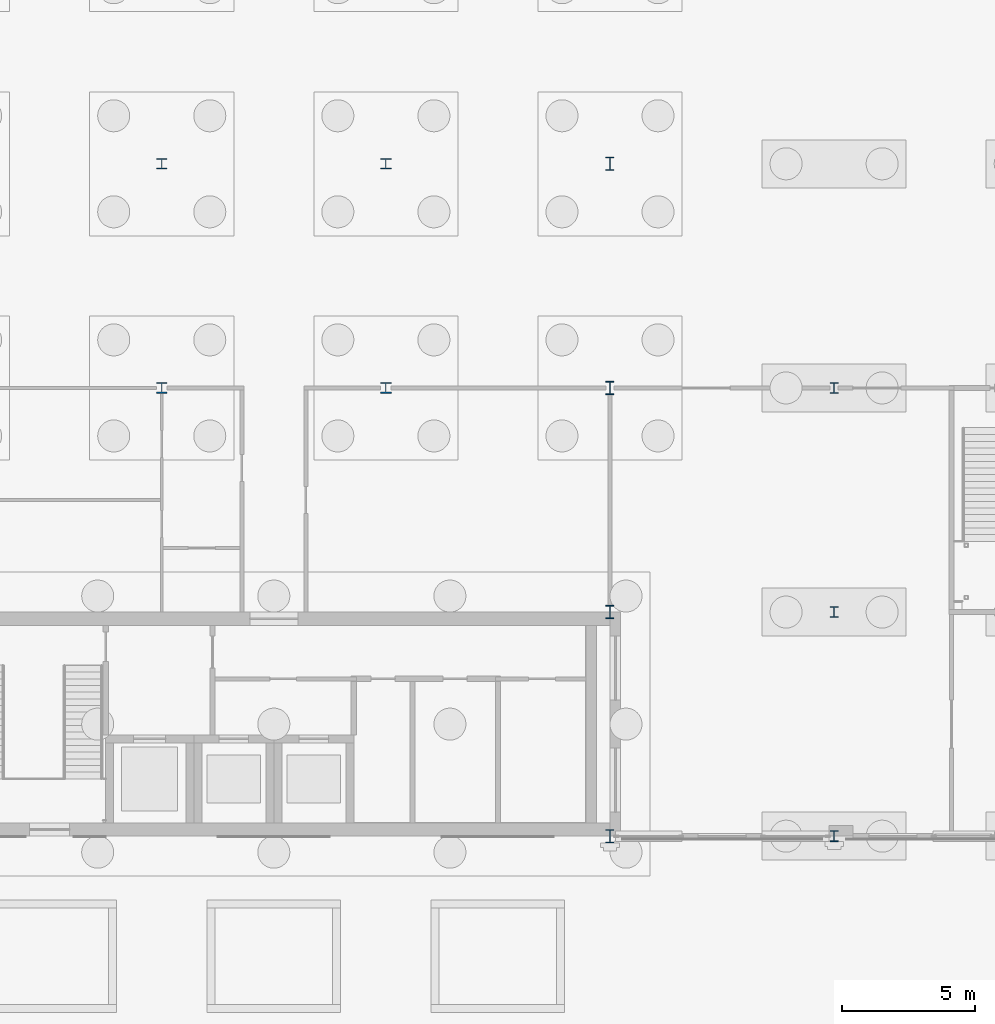
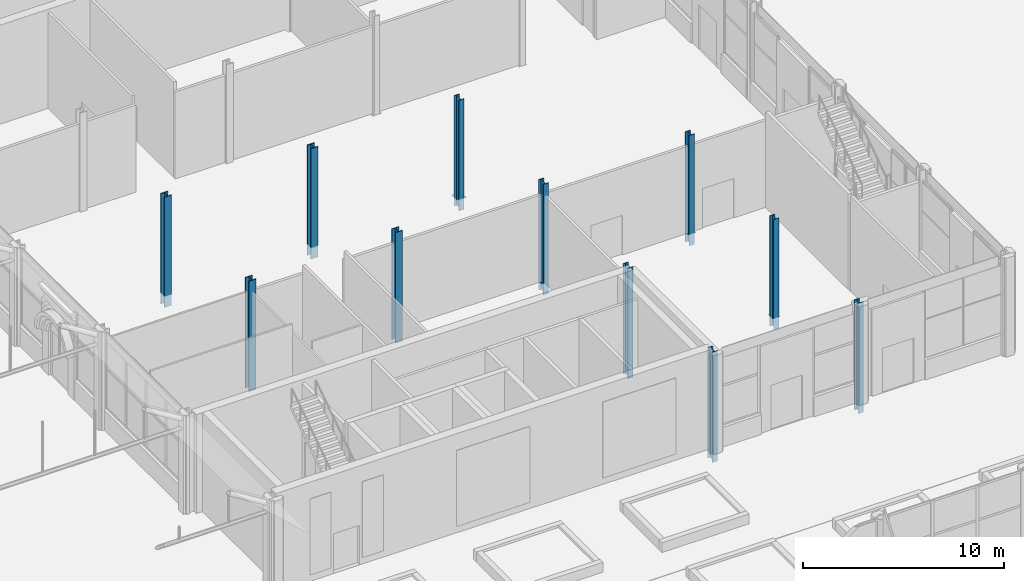
# One storey, part 29 of 212: 11 columns.
"""IFC4 building model written with IfcOpenShell, lengths in metres."""

from ifc_helpers import new_model, si_unit, direction, frame, origin, origin_2d, place, context, subcontext, project, spatial, i_section, extrude, material, material_profile, profile_set, type_object, element, save


model = new_model("IFC4")

# Units and contexts
model_context = context("Model", 3, precision=1e-05, world=origin(), true_north=direction((0.0, 1.0)))
body_context = subcontext(model_context, "Body", "Model", "MODEL_VIEW")
ifc_project = project(units=[si_unit("LENGTHUNIT", "METRE"), si_unit("AREAUNIT", "SQUARE_METRE"), si_unit("VOLUMEUNIT", "CUBIC_METRE"), si_unit("PLANEANGLEUNIT", "RADIAN"), si_unit("MASSUNIT", "GRAM", prefix="KILO")], contexts=[model_context])

# Site, building, storey
site_placement = place(None, origin())
site = spatial("IfcSite", under=ifc_project, at=site_placement, CompositionType="ELEMENT")
building_placement = place(site_placement, origin())
building = spatial("IfcBuilding", under=site, at=building_placement, Name="Catenary Quay Ferry Terminal", CompositionType="ELEMENT")
storey_placement = place(building_placement, origin())
storey = spatial("IfcBuildingStorey", under=building, at=storey_placement, Name="L00", CompositionType="ELEMENT", Elevation=0.0)

# Columns
ifc_material_1 = material(Name="Steel S355", Category="steel")
ifc_material_profile_1 = material_profile(ifc_material_1, i_section(OverallWidth=0.300048828125, OverallDepth=0.5, WebThickness=0.014404296875, FlangeThickness=0.028076171875, at=origin_2d()), Name="HEB 500")
ifc_profile_set_1 = profile_set([ifc_material_profile_1], Name="Steel S355")
column_type_1 = type_object("IfcColumnType", Name="C1 HEB 500", PredefinedType="COLUMN", material=ifc_profile_set_1)
for number, where, z_axis, x_axis, name in (
    (1, (50.39990234375, 159.60009765625, -0.699951171875), (0.0, 0.0, 1.0), (1.0, 0.0, 0.0), "Column C-G20 L00"),
    (2, (50.39990234375, 168.0, -0.699951171875), (0.0, 0.0, 1.0), (1.0, 0.0, 0.0), "Column C-G21 L00"),
    (3, (50.39990234375, 176.39990234375, -0.699951171875), (0.0, 0.0, 1.0), (1.0, 0.0, 0.0), "Column C-G22 L00"),
    (4, (50.39990234375, 184.800048828125, -0.699951171875), (0.0, 0.0, 1.0), (1.0, 0.0, 0.0), "Column C-G23 L00"),
):
    element("IfcColumn", number, at=place(storey_placement, frame(where, z_axis=z_axis, x_axis=x_axis)), inside=storey, type_object=column_type_1, Name=name, PredefinedType="COLUMN", context=body_context, shape_type="SweptSolid", body=[
        extrude(i_section(OverallWidth=0.300048828125, OverallDepth=0.5, WebThickness=0.014404296875, FlangeThickness=0.028076171875, at=origin_2d()), origin(), (0.0, 0.0, 1.0), 6.699951171875),
    ])
ifc_material_2 = material(Name="Steel S355", Category="steel")
ifc_material_profile_2 = material_profile(ifc_material_2, i_section(OverallWidth=0.300048828125, OverallDepth=0.39990234375, WebThickness=0.013427734375, FlangeThickness=0.02392578125, at=origin_2d()), Name="HEB 400")
ifc_profile_set_2 = profile_set([ifc_material_profile_2], Name="Steel S355")
column_type_2 = type_object("IfcColumnType", Name="C2 HEB 400", PredefinedType="COLUMN", material=ifc_profile_set_2)
for number, where, z_axis, x_axis, name in (
    (5, (58.800048828125, 159.60009765625, -0.699951171875), (0.0, 0.0, 1.0), (1.0, 0.0, 0.0), "Column C-H20 L00"),
    (6, (58.800048828125, 168.0, -0.699951171875), (0.0, 0.0, 1.0), (1.0, 0.0, 0.0), "Column C-H21 L00"),
    (7, (58.800048828125, 176.39990234375, -0.699951171875), (0.0, 0.0, 1.0), (1.0, 0.0, 0.0), "Column C-H22 L00"),
):
    element("IfcColumn", number, at=place(storey_placement, frame(where, z_axis=z_axis, x_axis=x_axis)), inside=storey, type_object=column_type_2, Name=name, PredefinedType="COLUMN", context=body_context, shape_type="SweptSolid", body=[
        extrude(i_section(OverallWidth=0.300048828125, OverallDepth=0.39990234375, WebThickness=0.013427734375, FlangeThickness=0.02392578125, at=origin_2d()), origin(), (0.0, 0.0, 1.0), 6.699951171875),
    ])
ifc_material_3 = material(Name="Steel S355", Category="steel")
ifc_material_profile_3 = material_profile(ifc_material_3, i_section(OverallWidth=0.404052734375, OverallDepth=0.406982421875, WebThickness=0.027099609375, FlangeThickness=0.043701171875, at=origin_2d()), Name="HD 400x347")
ifc_profile_set_3 = profile_set([ifc_material_profile_3], Name="Steel S355")
column_type_3 = type_object("IfcColumnType", Name="C9 HD 400x347", PredefinedType="COLUMN", material=ifc_profile_set_3)
for number, where, z_axis, x_axis, name in (
    (8, (33.60009765625, 176.39990234375, -0.699951171875), (0.0, 0.0, 1.0), (1.0, 0.0, 0.0), "Column C-E22 L00"),
    (9, (33.60009765625, 184.800048828125, -0.699951171875), (0.0, 0.0, 1.0), (1.0, 0.0, 0.0), "Column C-E23 L00"),
    (10, (42.0, 176.39990234375, -0.699951171875), (0.0, 0.0, 1.0), (1.0, 0.0, 0.0), "Column C-F22 L00"),
    (11, (42.0, 184.800048828125, -0.699951171875), (0.0, 0.0, 1.0), (1.0, 0.0, 0.0), "Column C-F23 L00"),
):
    element("IfcColumn", number, at=place(storey_placement, frame(where, z_axis=z_axis, x_axis=x_axis)), inside=storey, type_object=column_type_3, Name=name, PredefinedType="COLUMN", context=body_context, shape_type="SweptSolid", body=[
        extrude(i_section(OverallWidth=0.404052734375, OverallDepth=0.406982421875, WebThickness=0.027099609375, FlangeThickness=0.043701171875, at=origin_2d()), origin(), (0.0, 0.0, 1.0), 6.699951171875),
    ])

save(model, "model.ifc")
